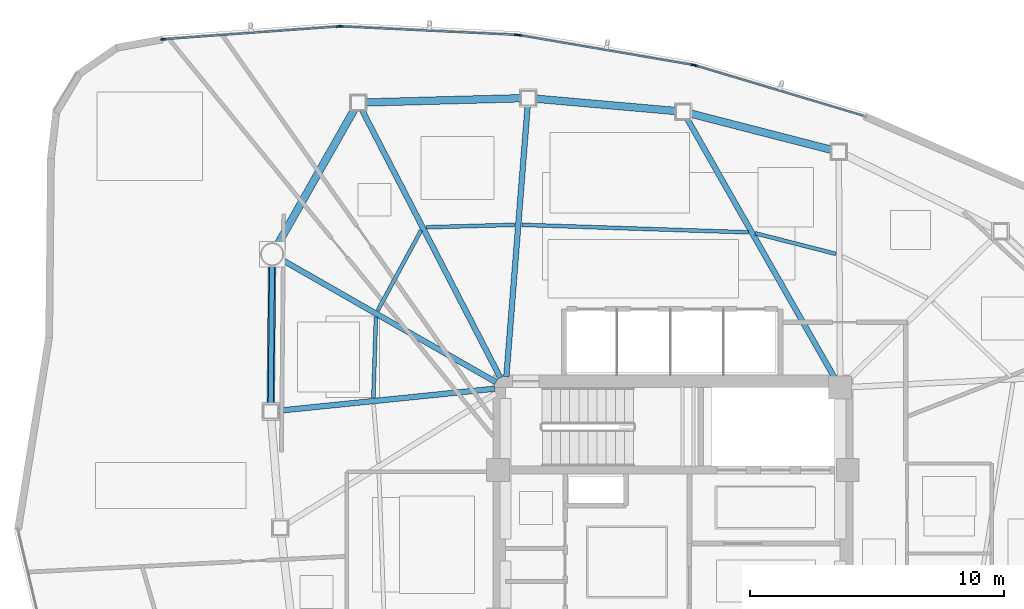
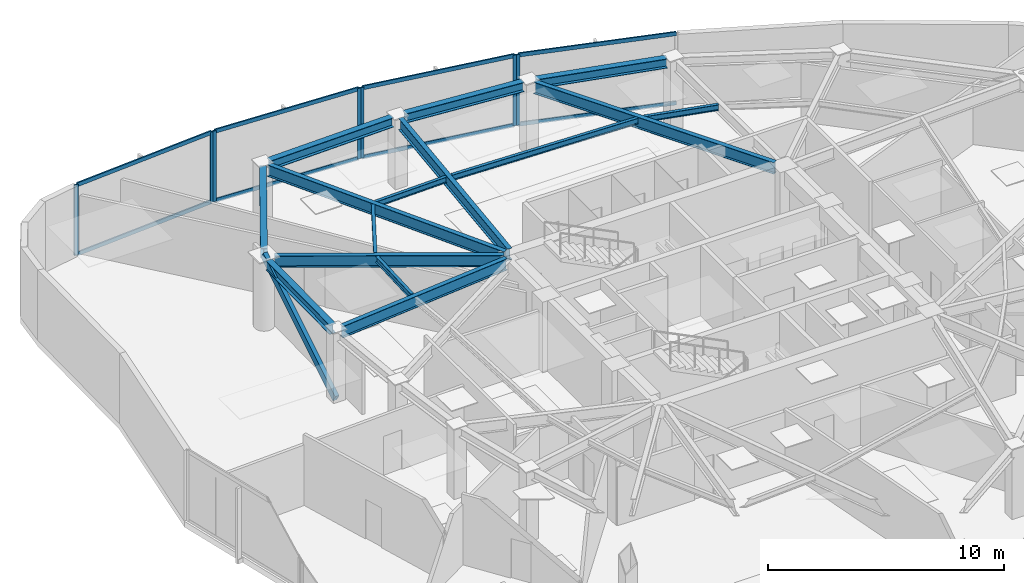
# One storey, part 5 of 13: 16 members, 15 beams, 4 elements without a shape of their own.
"""IFC4 building model written with IfcOpenShell, lengths in metres."""

import ifcopenshell
import ifcopenshell.guid

model = None  # the IFC model being written
_history = None  # IfcOwnerHistory: only IFC2X3 demands one
_inside = {}  # id of a spatial element -> (the spatial element, [elements in it])
_under = {}  # id of a project, library or spatial element -> (it, [spatial elements below it])
_declared = {}  # id of a project -> (the project, [libraries it declares])
_typed = {}  # id of a type object -> (the type object, [elements of that type])
_made_of = {}  # id of a material, layer set ... -> (it, [elements and type objects made of it])


def new_model(schema):
    """Start an empty IFC model of exactly this schema.

    Asked for "IFC4X3", IfcOpenShell would pick the latest addendum, in which some entities
    have other attributes; the version numbers below select the first issue.
    IFC2X3 requires an IfcOwnerHistory on every rooted entity: one is made here for all.
    """
    global model, _history
    if schema == "IFC4X3":
        model = ifcopenshell.file(schema_version=(4, 3, 0, 0))
    else:
        model = ifcopenshell.file(schema=schema)
    _inside.clear()
    _under.clear()
    _declared.clear()
    _typed.clear()
    _made_of.clear()
    _history = None
    if model.schema == "IFC2X3":
        org = make("IfcOrganization", Name="unknown")
        user = make(
            "IfcPersonAndOrganization",
            ThePerson=make("IfcPerson", FamilyName="unknown"),
            TheOrganization=org,
        )
        app = make(
            "IfcApplication",
            ApplicationDeveloper=org,
            Version="unknown",
            ApplicationFullName="unknown",
            ApplicationIdentifier="unknown",
        )
        _history = make(
            "IfcOwnerHistory",
            OwningUser=user,
            OwningApplication=app,
            ChangeAction="ADDED",
            CreationDate=0,
        )
    return model


def make(cls, **values):
    """One entity of the class cls with the attributes given. An attribute that is None is left unset."""
    return model.create_entity(
        cls, **{name: value for name, value in values.items() if value is not None}
    )


def rooted(cls, **values):
    """An entity with a GlobalId (a new one), such as an element, a storey or a relation."""
    return make(cls, GlobalId=ifcopenshell.guid.new(), OwnerHistory=_history, **values)


def si_unit(unit_type, name, prefix=None):
    """IfcSIUnit, for example si_unit("LENGTHUNIT", "METRE", prefix="MILLI")."""
    return make("IfcSIUnit", UnitType=unit_type, Prefix=prefix, Name=name)


def assignment(units):
    """IfcUnitAssignment: the units of a project."""
    return None if units is None else make("IfcUnitAssignment", Units=units)


def point(xyz):
    """IfcCartesianPoint."""
    return None if xyz is None else make("IfcCartesianPoint", Coordinates=xyz)


def direction(xyz):
    """IfcDirection."""
    return None if xyz is None else make("IfcDirection", DirectionRatios=xyz)


def frame(location, z_axis=None, x_axis=None):
    """IfcAxis2Placement3D, a coordinate frame: its origin and axes. An axis left out is left unset."""
    return make(
        "IfcAxis2Placement3D",
        Location=point(location),
        Axis=direction(z_axis),
        RefDirection=direction(x_axis),
    )


def frame_2d(location, x_axis=None):
    """IfcAxis2Placement2D, a coordinate frame in the plane: its origin and x axis."""
    return make(
        "IfcAxis2Placement2D", Location=point(location), RefDirection=direction(x_axis)
    )


def origin():
    """The frame at (0, 0, 0) with its axes left unset."""
    return frame((0.0, 0.0, 0.0))


def origin_2d():
    """The frame at (0, 0) in the plane with its x axis left unset."""
    return frame_2d((0.0, 0.0))


def place(relative_to, where):
    """IfcLocalPlacement: puts the frame where relative to a parent placement (None: the world)."""
    return make(
        "IfcLocalPlacement", PlacementRelTo=relative_to, RelativePlacement=where
    )


def context(
    kind, dimensions, precision=None, world=None, true_north=None, identifier=None
):
    """IfcGeometricRepresentationContext, for example the 3D "Model" context."""
    return make(
        "IfcGeometricRepresentationContext",
        ContextIdentifier=identifier,
        ContextType=kind,
        CoordinateSpaceDimension=dimensions,
        Precision=precision,
        WorldCoordinateSystem=world,
        TrueNorth=true_north,
    )


def subcontext(parent, identifier, kind, view, scale=None):
    """IfcGeometricRepresentationSubContext, for example "Body" below "Model"."""
    return make(
        "IfcGeometricRepresentationSubContext",
        ContextIdentifier=identifier,
        ContextType=kind,
        ParentContext=parent,
        TargetScale=scale,
        TargetView=view,
    )


def project(units=None, contexts=None):
    """IfcProject with its units and contexts."""
    return rooted(
        "IfcProject",
        Name="project",
        RepresentationContexts=contexts,
        UnitsInContext=assignment(units),
    )


def spatial(cls, under=None, at=None, **own):
    """A site, building, storey or space (cls), placed at a placement, below another one or the project."""
    s = rooted(cls, ObjectPlacement=at, **own)
    if under is not None:
        _under.setdefault(under.id(), (under, []))[1].append(s)
    return s


def profile(cls, at=None, kind="AREA", **sizes):
    """A parametric profile (cls). Its sizes go by their IFC names, for example OverallWidth=200.0."""
    return make(cls, ProfileType=kind, Position=at, **sizes)


def hollow_rectangle(**sizes):
    """IfcRectangleHollowProfileDef."""
    return profile("IfcRectangleHollowProfileDef", **sizes)


def i_section(**sizes):
    """IfcIShapeProfileDef."""
    return profile("IfcIShapeProfileDef", **sizes)


def extrude(swept, where, along, depth):
    """IfcExtrudedAreaSolid: the profile swept, set in the frame where, extruded along a direction by depth."""
    return make(
        "IfcExtrudedAreaSolid",
        SweptArea=swept,
        Position=where,
        ExtrudedDirection=direction(along),
        Depth=depth,
    )


def shape(context_of_items, identifier, shape_type, items):
    """IfcShapeRepresentation: the items that make up one representation, for example the "Body"."""
    return make(
        "IfcShapeRepresentation",
        ContextOfItems=context_of_items,
        RepresentationIdentifier=identifier,
        RepresentationType=shape_type,
        Items=items,
    )


def source(mapping_origin, context_of_items, identifier, shape_type, items):
    """IfcRepresentationMap: a shape defined once, which mapped items show again and again."""
    return make(
        "IfcRepresentationMap",
        MappingOrigin=mapping_origin,
        MappedRepresentation=shape(context_of_items, identifier, shape_type, items),
    )


def transform(
    local_origin,
    x_axis=None,
    y_axis=None,
    z_axis=None,
    scale=None,
    scale2=None,
    scale3=None,
    uniform=True,
):
    """IfcCartesianTransformationOperator3D, or its non-uniform kind. x_axis, y_axis, z_axis: its Axis1, 2, 3."""
    if uniform:
        return make(
            "IfcCartesianTransformationOperator3D",
            Axis1=direction(x_axis),
            Axis2=direction(y_axis),
            LocalOrigin=point(local_origin),
            Scale=scale,
            Axis3=direction(z_axis),
        )
    return make(
        "IfcCartesianTransformationOperator3DnonUniform",
        Axis1=direction(x_axis),
        Axis2=direction(y_axis),
        LocalOrigin=point(local_origin),
        Scale=scale,
        Axis3=direction(z_axis),
        Scale2=scale2,
        Scale3=scale3,
    )


def mapped(mapping_source, mapping_target):
    """IfcMappedItem: shows the shape of a source again, moved by a transform."""
    return make(
        "IfcMappedItem", MappingSource=mapping_source, MappingTarget=mapping_target
    )


def material(Name=None, Category=None):
    """IfcMaterial."""
    return make("IfcMaterial", Name=Name, Category=Category)


def layer(
    of_material, thickness, ventilated=None, Name=None, Category=None, Priority=None
):
    """IfcMaterialLayer: one layer of a wall or slab, of a material (None: an air gap)."""
    return make(
        "IfcMaterialLayer",
        Material=of_material,
        LayerThickness=thickness,
        IsVentilated=ventilated,
        Name=Name,
        Category=Category,
        Priority=Priority,
    )


def layer_set(layers, Name=None):
    """IfcMaterialLayerSet."""
    return make("IfcMaterialLayerSet", MaterialLayers=layers, LayerSetName=Name)


def material_profile(
    of_material, cross_section, Name=None, Category=None, Priority=None
):
    """IfcMaterialProfile: a cross section and its material."""
    return make(
        "IfcMaterialProfile",
        Name=Name,
        Material=of_material,
        Profile=cross_section,
        Priority=Priority,
        Category=Category,
    )


def profile_set(profiles, Name=None, composite=None):
    """IfcMaterialProfileSet."""
    return make(
        "IfcMaterialProfileSet",
        Name=Name,
        MaterialProfiles=profiles,
        CompositeProfile=composite,
    )


def made_of(thing, what):
    """Note that an element or type object is made of a material, layer set ...; save() writes the relation."""
    if what is not None:
        _made_of.setdefault(what.id(), (what, []))[1].append(thing)
    return thing


def type_object(cls, material=None, **own):
    """A type object (cls), such as IfcWallType, which elements share."""
    return made_of(rooted(cls, **own), material)


def type_shapes(of_type, sources):
    """Give a type object the sources (RepresentationMaps) that its elements show as mapped items."""
    of_type.RepresentationMaps = sources


def element(
    cls,
    number,
    at=None,
    inside=None,
    cuts=None,
    type_object=None,
    material=None,
    context=None,
    identifier="Body",
    shape_type=None,
    held_by="IfcProductDefinitionShape",
    body=None,
    shapes=None,
    **own,
):
    """One element of the class cls, such as IfcWall. Its Tag is "e" and its number.

    at: its placement. inside: the storey or other place that contains it. cuts: it is an
    opening in that element (IfcRelVoidsElement). A single representation is given by context,
    identifier, shape_type and body (its items); several are given by shapes. held_by: the class
    of the entity that holds the representations. save() writes the other relations.
    """
    e = rooted(cls, Tag="e%d" % number, ObjectPlacement=at, **own)
    if body is not None:
        shapes = [shape(context, identifier, shape_type, body)]
    if shapes is not None:
        e.Representation = make(held_by, Representations=shapes)
    if inside is not None:
        _inside.setdefault(inside.id(), (inside, []))[1].append(e)
    if cuts is not None:
        rooted(
            "IfcRelVoidsElement", RelatingBuildingElement=cuts, RelatedOpeningElement=e
        )
    if type_object is not None:
        _typed.setdefault(type_object.id(), (type_object, []))[1].append(e)
    return made_of(e, material)


def aggregate(whole, parts):
    """IfcRelAggregates: a whole, such as a stair, and the parts it consists of."""
    return rooted("IfcRelAggregates", RelatingObject=whole, RelatedObjects=parts)


def save(model, path):
    """Write the relations noted so far, then the file.

    IfcRelAggregates (storeys below a building ...), IfcRelContainedInSpatialStructure (elements
    in a storey), IfcRelDefinesByType, IfcRelAssociatesMaterial and IfcRelDeclares: one each for
    every whole, place, type object, material and project.
    """
    for whole, parts in _under.values():
        aggregate(whole, parts)
    for where, things in _inside.values():
        rooted(
            "IfcRelContainedInSpatialStructure",
            RelatedElements=things,
            RelatingStructure=where,
        )
    for kind, things in _typed.values():
        rooted("IfcRelDefinesByType", RelatedObjects=things, RelatingType=kind)
    for what, things in _made_of.values():
        rooted("IfcRelAssociatesMaterial", RelatedObjects=things, RelatingMaterial=what)
    for by, libraries in _declared.values():
        rooted("IfcRelDeclares", RelatingContext=by, RelatedDefinitions=libraries)
    model.write(path)


model = new_model("IFC4")

# Units and contexts
model_context = context("Model", 3, precision=1e-05, world=origin(), true_north=direction((0.0, 1.0)))
body_context = subcontext(model_context, "Body", "Model", "MODEL_VIEW")
ifc_project = project(units=[si_unit("LENGTHUNIT", "METRE"), si_unit("AREAUNIT", "SQUARE_METRE"), si_unit("VOLUMEUNIT", "CUBIC_METRE"), si_unit("PLANEANGLEUNIT", "RADIAN"), si_unit("MASSUNIT", "GRAM", prefix="KILO")], contexts=[model_context])

# Site, building, storey
site_placement = place(None, origin())
site = spatial("IfcSite", under=ifc_project, at=site_placement, CompositionType="ELEMENT")
building_placement = place(site_placement, origin())
building = spatial("IfcBuilding", under=site, at=building_placement, Name="Tavelor Broadcast Tower", CompositionType="ELEMENT")
storey_placement = place(building_placement, frame((0.0, 0.0, 237.949951171875)))
storey = spatial("IfcBuildingStorey", under=building, at=storey_placement, Name="L56", CompositionType="ELEMENT", Elevation=237.949951171875)

# Beams
ifc_material_1 = material(Name="Steel S355", Category="steel")
ifc_material_profile_1 = material_profile(ifc_material_1, i_section(OverallWidth=0.14990234375, OverallDepth=0.300048828125, WebThickness=0.007080078125, FlangeThickness=0.0107421875, at=origin_2d()), Name="IPE 300")
ifc_profile_set_1 = profile_set([ifc_material_profile_1], Name="Steel S355")
beam_type_1 = type_object("IfcBeamType", Name="Composite Floor Joist T5 IPE 300", PredefinedType="JOIST", material=ifc_profile_set_1)
beam_1_placement = place(storey_placement, frame((38.289794921875, 53.978515625, 3.5), z_axis=(-0.031859396157, -0.999492360589, 0.0), x_axis=(0.999492360589, -0.031859396157, 0.0)))
element("IfcBeam", 1, at=beam_1_placement, inside=storey, type_object=beam_type_1, Name="L56 Secondary Composite Floor Joist 01", PredefinedType="JOIST", context=body_context, shape_type="SweptSolid", body=[
    extrude(i_section(OverallWidth=0.14990234375, OverallDepth=0.300048828125, WebThickness=0.007080078125, FlangeThickness=0.0107421875, at=origin_2d()), origin(), (0.0, 0.0, 1.0), 3.172607421875),
])
beam_2_placement = place(storey_placement, frame((56.434326171875, 56.4736328125, 3.5), z_axis=(-0.968901023903, 0.247448592399, 0.0), x_axis=(-0.247448592399, -0.968901023903, 0.0)))
element("IfcBeam", 2, at=beam_2_placement, inside=storey, type_object=beam_type_1, Name="L56 Secondary Composite Floor Joist 15", PredefinedType="JOIST", context=body_context, shape_type="SweptSolid", body=[
    extrude(i_section(OverallWidth=0.14990234375, OverallDepth=0.300048828125, WebThickness=0.007080078125, FlangeThickness=0.0107421875, at=origin_2d()), origin(), (0.0, 0.0, 1.0), 3.283447265625),
])
beam_3_placement = place(storey_placement, frame((52.978515625, 57.3251953125, 3.5), z_axis=(-0.999455526468, 0.032994705837, 0.0), x_axis=(-0.032994705837, -0.999455526468, 0.0)))
element("IfcBeam", 3, at=beam_3_placement, inside=storey, type_object=beam_type_1, Name="L56 Secondary Composite Floor Joist 16", PredefinedType="JOIST", context=body_context, shape_type="SweptSolid", body=[
    extrude(i_section(OverallWidth=0.14990234375, OverallDepth=0.300048828125, WebThickness=0.007080078125, FlangeThickness=0.0107421875, at=origin_2d()), origin(), (0.0, 0.0, 1.0), 8.9384765625),
])
beam_4_placement = place(storey_placement, frame((43.76611328125, 57.620849609375, 3.5), z_axis=(-0.999611398275, -0.027875660324, 0.0), x_axis=(0.027875660324, -0.999611398275, 0.0)))
element("IfcBeam", 4, at=beam_4_placement, inside=storey, type_object=beam_type_1, Name="L56 Secondary Composite Floor Joist 17", PredefinedType="JOIST", context=body_context, shape_type="SweptSolid", body=[
    extrude(i_section(OverallWidth=0.14990234375, OverallDepth=0.300048828125, WebThickness=0.007080078125, FlangeThickness=0.0107421875, at=origin_2d()), origin(), (0.0, 0.0, 1.0), 3.49462890625),
])
beam_5_placement = place(storey_placement, frame((40.0673828125, 57.39697265625, 3.5), z_axis=(-0.475640833171, -0.879639584046, 0.0), x_axis=(0.879639584046, -0.475640833171, 0.0)))
element("IfcBeam", 5, at=beam_5_placement, inside=storey, type_object=beam_type_1, Name="L56 Secondary Composite Floor Joist 18", PredefinedType="JOIST", context=body_context, shape_type="SweptSolid", body=[
    extrude(i_section(OverallWidth=0.14990234375, OverallDepth=0.300048828125, WebThickness=0.007080078125, FlangeThickness=0.0107421875, at=origin_2d()), origin(), (0.0, 0.0, 1.0), 3.58837890625),
])
ifc_material_profile_2 = material_profile(ifc_material_1, i_section(OverallWidth=0.300048828125, OverallDepth=0.489990234375, WebThickness=0.011962890625, FlangeThickness=0.02294921875, at=origin_2d()), Name="HEA 500")
ifc_profile_set_2 = profile_set([ifc_material_profile_2], Name="Steel S355")
beam_type_2 = type_object("IfcBeamType", Name="Perimeter Spandrel Beam T5 HEA 500", PredefinedType="SPANDREL", material=ifc_profile_set_2)
beam_6_placement = place(storey_placement, frame((34.192138671875, 56.021240234375, 3.405029296875), z_axis=(-0.009538233347, -0.999954510018, 0.0), x_axis=(0.999954510018, -0.009538233347, 0.0)))
element("IfcBeam", 6, at=beam_6_placement, inside=storey, type_object=beam_type_2, Name="L56 Framed-Tube Ring Spandrel 01", PredefinedType="SPANDREL", context=body_context, shape_type="SweptSolid", body=[
    extrude(i_section(OverallWidth=0.300048828125, OverallDepth=0.489990234375, WebThickness=0.011962890625, FlangeThickness=0.02294921875, at=origin_2d()), origin(), (0.0, 0.0, 1.0), 5.4775390625),
])
beam_7_placement = place(storey_placement, frame((56.2666015625, 60.575927734375, 3.405029296875), z_axis=(-0.968398561847, 0.249407749304, 0.0), x_axis=(-0.249407749304, -0.968398561847, 0.0)))
element("IfcBeam", 7, at=beam_7_placement, inside=storey, type_object=beam_type_2, Name="L56 Framed-Tube Ring Spandrel 15", PredefinedType="SPANDREL", context=body_context, shape_type="SweptSolid", body=[
    extrude(i_section(OverallWidth=0.300048828125, OverallDepth=0.489990234375, WebThickness=0.011962890625, FlangeThickness=0.02294921875, at=origin_2d()), origin(), (0.0, 0.0, 1.0), 5.7626953125),
])
beam_8_placement = place(storey_placement, frame((50.120361328125, 62.110107421875, 3.405029296875), z_axis=(-0.996165524703, 0.087488555787, 0.0), x_axis=(-0.087488555787, -0.996165524703, 0.0)))
element("IfcBeam", 8, at=beam_8_placement, inside=storey, type_object=beam_type_2, Name="L56 Framed-Tube Ring Spandrel 16", PredefinedType="SPANDREL", context=body_context, shape_type="SweptSolid", body=[
    extrude(i_section(OverallWidth=0.300048828125, OverallDepth=0.489990234375, WebThickness=0.011962890625, FlangeThickness=0.02294921875, at=origin_2d()), origin(), (0.0, 0.0, 1.0), 5.555908203125),
])
beam_9_placement = place(storey_placement, frame((44.010986328125, 62.613525390625, 3.405029296875), z_axis=(-0.999631563069, -0.027142920174, 0.0), x_axis=(0.027142920174, -0.999631563069, 0.0)))
element("IfcBeam", 9, at=beam_9_placement, inside=storey, type_object=beam_type_2, Name="L56 Framed-Tube Ring Spandrel 17", PredefinedType="SPANDREL", context=body_context, shape_type="SweptSolid", body=[
    extrude(i_section(OverallWidth=0.300048828125, OverallDepth=0.489990234375, WebThickness=0.011962890625, FlangeThickness=0.02294921875, at=origin_2d()), origin(), (0.0, 0.0, 1.0), 6.13427734375),
])
beam_10_placement = place(storey_placement, frame((37.44873046875, 62.188720703125, 3.405029296875), z_axis=(-0.49368262273, -0.869642149401, 0.0), x_axis=(0.869642149401, -0.49368262273, 0.0)))
element("IfcBeam", 10, at=beam_10_placement, inside=storey, type_object=beam_type_2, Name="L56 Framed-Tube Ring Spandrel 18", PredefinedType="SPANDREL", context=body_context, shape_type="SweptSolid", body=[
    extrude(i_section(OverallWidth=0.300048828125, OverallDepth=0.489990234375, WebThickness=0.011962890625, FlangeThickness=0.02294921875, at=origin_2d()), origin(), (0.0, 0.0, 1.0), 6.14892578125),
])

# Member
ifc_material_profile_3 = material_profile(ifc_material_1, hollow_rectangle(XDim=0.199951171875, YDim=0.39990234375, WallThickness=0.01611328125, at=origin_2d()), Name="RHS 400x200x16")
ifc_profile_set_3 = profile_set([ifc_material_profile_3], Name="Steel S355")
member_type_1 = type_object("IfcMemberType", Name="Perimeter Tube Brace T5 RHS 400x200x16", PredefinedType="BRACE", material=ifc_profile_set_3)
member_1_placement = place(storey_placement, frame((34.13720703125, 50.255859375, 0.0), z_axis=(0.008207584485, 0.861864202231, 0.507072709254), x_axis=(-0.999954658748, 0.009522628184, 0.0)))
element("IfcMember", 11, at=member_1_placement, inside=storey, type_object=member_type_1, Name="L56 Corner Tube Diagonal Brace 1", PredefinedType="BRACE", context=body_context, shape_type="SweptSolid", body=[
    extrude(hollow_rectangle(XDim=0.199951171875, YDim=0.39990234375, WallThickness=0.01611328125, at=origin_2d()), origin(), (0.0, 0.0, 1.0), 7.198486328125),
])

# Beams
ifc_material_profile_4 = material_profile(ifc_material_1, i_section(OverallWidth=0.219970703125, OverallDepth=0.60009765625, WebThickness=0.011962890625, FlangeThickness=0.01904296875, at=origin_2d()), Name="IPE 600")
ifc_profile_set_4 = profile_set([ifc_material_profile_4], Name="Steel S355")
beam_type_3 = type_object("IfcBeamType", Name="Radial Floor Girder T5 IPE 600", PredefinedType="BEAM", material=ifc_profile_set_4)
beam_11_placement = place(storey_placement, frame((43.02490234375, 51.414306640625, 3.35009765625), z_axis=(-0.868210713595, 0.496195683979, 0.0), x_axis=(-0.496195683979, -0.868210713595, 0.0)))
element("IfcBeam", 12, at=beam_11_placement, inside=storey, type_object=beam_type_3, Name="L56 Radial Primary Floor Girder 01", PredefinedType="BEAM", context=body_context, shape_type="SweptSolid", body=[
    extrude(i_section(OverallWidth=0.219970703125, OverallDepth=0.60009765625, WebThickness=0.011962890625, FlangeThickness=0.01904296875, at=origin_2d()), origin(), (0.0, 0.0, 1.0), 9.729736328125),
])
beam_12_placement = place(storey_placement, frame((42.97021484375, 51.15625, 3.35009765625), z_axis=(-0.994846025553, -0.101397166829, 0.0), x_axis=(0.101397166829, -0.994846025553, 0.0)))
element("IfcBeam", 13, at=beam_12_placement, inside=storey, type_object=beam_type_3, Name="L56 Radial Primary Floor Girder 02", PredefinedType="BEAM", context=body_context, shape_type="SweptSolid", body=[
    extrude(i_section(OverallWidth=0.219970703125, OverallDepth=0.60009765625, WebThickness=0.011962890625, FlangeThickness=0.01904296875, at=origin_2d()), origin(), (0.0, 0.0, 1.0), 8.5908203125),
])
beam_13_placement = place(storey_placement, frame((56.386474609375, 51.575439453125, 3.35009765625), z_axis=(-0.49450754608, 0.869173335342, 0.0), x_axis=(-0.869173335342, -0.49450754608, 0.0)))
element("IfcBeam", 14, at=beam_13_placement, inside=storey, type_object=beam_type_3, Name="L56 Radial Primary Floor Girder 16", PredefinedType="BEAM", context=body_context, shape_type="SweptSolid", body=[
    extrude(i_section(OverallWidth=0.219970703125, OverallDepth=0.60009765625, WebThickness=0.011962890625, FlangeThickness=0.01904296875, at=origin_2d()), origin(), (0.0, 0.0, 1.0), 11.803466796875),
])
beam_14_placement = place(storey_placement, frame((43.433837890625, 51.630615234375, 3.35009765625), z_axis=(0.078449146994, 0.996918116666, 0.0), x_axis=(-0.996918116666, 0.078449146994, 0.0)))
element("IfcBeam", 15, at=beam_14_placement, inside=storey, type_object=beam_type_3, Name="L56 Radial Primary Floor Girder 17", PredefinedType="BEAM", context=body_context, shape_type="SweptSolid", body=[
    extrude(i_section(OverallWidth=0.219970703125, OverallDepth=0.60009765625, WebThickness=0.011962890625, FlangeThickness=0.01904296875, at=origin_2d()), origin(), (0.0, 0.0, 1.0), 10.73681640625),
])
beam_15_placement = place(storey_placement, frame((43.20166015625, 51.583740234375, 3.35009765625), z_axis=(-0.459155708723, 0.888355804364, 0.0), x_axis=(-0.888355804364, -0.459155708723, 0.0)))
element("IfcBeam", 16, at=beam_15_placement, inside=storey, type_object=beam_type_3, Name="L56 Radial Primary Floor Girder 18", PredefinedType="BEAM", context=body_context, shape_type="SweptSolid", body=[
    extrude(i_section(OverallWidth=0.219970703125, OverallDepth=0.60009765625, WebThickness=0.011962890625, FlangeThickness=0.01904296875, at=origin_2d()), origin(), (0.0, 0.0, 1.0), 11.931640625),
])

# Curtain wall, member
ifc_material_2 = material(Name="Architectural Anodized Aluminium", Category="aluminium")
ifc_layer = layer(ifc_material_2, 0.199951171875)
ifc_layer_set = layer_set([ifc_layer], Name="Architectural Anodized Aluminium")
curtain_wall_type = type_object("IfcCurtainWallType", Name="Tower High-Zone Triple-Glazed Curtain Wall CW04", PredefinedType="NOTDEFINED", material=ifc_layer_set)
curtain_wall_1_placement = place(storey_placement, origin())
curtain_wall_1 = element("IfcCurtainWall", 17, at=curtain_wall_1_placement, inside=storey, type_object=curtain_wall_type, Name="L56 Curtain Wall CW04 Run 609", PredefinedType="NOTDEFINED")
ifc_material_profile_5 = material_profile(ifc_material_2, hollow_rectangle(XDim=0.070068359375, YDim=0.199951171875, WallThickness=0.02197265625, at=origin_2d()), Name="RHS 70x200x22")
ifc_profile_set_5 = profile_set([ifc_material_profile_5], Name="Architectural Anodized Aluminium")
member_type_2 = type_object("IfcMemberType", Name="CW04 Extruded Aluminium Mullion 70x200", PredefinedType="MULLION", material=ifc_profile_set_5)
shared_shape_1 = source(origin(), body_context, "Body", "SweptSolid", [
    extrude(hollow_rectangle(XDim=0.070068359375, YDim=0.199951171875, WallThickness=0.02197265625, at=origin_2d()), origin(), (0.0, 0.0, 1.0), 3.650146484375),
])
type_shapes(member_type_2, [shared_shape_1])
member_2_placement = place(storey_placement, frame((50.885498046875, 63.9052734375, 0.0), z_axis=(0.0, 0.0, 1.0), x_axis=(-0.286946594752, -0.957946580849, 0.0)))
member_2 = element("IfcMember", 18, at=member_2_placement, type_object=member_type_2, Name="CW04 mullion 2", PredefinedType="MULLION", context=body_context, shape_type="MappedRepresentation", body=[
    mapped(shared_shape_1, transform((0.0, 0.0, 0.0), scale=1.0)),
])

# Curtain wall, members
curtain_wall_2_placement = place(storey_placement, origin())
curtain_wall_2 = element("IfcCurtainWall", 19, at=curtain_wall_2_placement, inside=storey, type_object=curtain_wall_type, Name="L56 Curtain Wall CW04 Run 610", PredefinedType="NOTDEFINED")
member_3_placement = place(storey_placement, frame((50.788330078125, 63.92822265625, 0.0), z_axis=(0.0, 0.0, 1.0), x_axis=(-0.16890041044, -0.985633122086, 0.0)))
member_3 = element("IfcMember", 20, at=member_3_placement, type_object=member_type_2, Name="CW04 mullion 1", PredefinedType="MULLION", context=body_context, shape_type="MappedRepresentation", body=[
    mapped(shared_shape_1, transform((0.0, 0.0, 0.0), scale=1.0)),
])
member_4_placement = place(storey_placement, frame((43.953857421875, 65.099365234375, 0.0), z_axis=(0.0, 0.0, 1.0), x_axis=(-0.16890041044, -0.985633122086, 0.0)))
member_4 = element("IfcMember", 21, at=member_4_placement, type_object=member_type_2, Name="CW04 mullion 2", PredefinedType="MULLION", context=body_context, shape_type="MappedRepresentation", body=[
    mapped(shared_shape_1, transform((0.0, 0.0, 0.0), scale=1.0)),
])

curtain_wall_3_placement = place(storey_placement, origin())
curtain_wall_3 = element("IfcCurtainWall", 22, at=curtain_wall_3_placement, inside=storey, type_object=curtain_wall_type, Name="L56 Curtain Wall CW04 Run 611", PredefinedType="NOTDEFINED")
member_5_placement = place(storey_placement, frame((43.8544921875, 65.110107421875, 0.0), z_axis=(0.0, 0.0, 1.0), x_axis=(-0.048400853256, -0.998827991901, 0.0)))
member_5 = element("IfcMember", 23, at=member_5_placement, type_object=member_type_2, Name="CW04 mullion 1", PredefinedType="MULLION", context=body_context, shape_type="MappedRepresentation", body=[
    mapped(shared_shape_1, transform((0.0, 0.0, 0.0), scale=1.0)),
])
member_6_placement = place(storey_placement, frame((36.9287109375, 65.44580078125, 0.0), z_axis=(0.0, 0.0, 1.0), x_axis=(-0.048400853256, -0.998827991901, 0.0)))
member_6 = element("IfcMember", 24, at=member_6_placement, type_object=member_type_2, Name="CW04 mullion 2", PredefinedType="MULLION", context=body_context, shape_type="MappedRepresentation", body=[
    mapped(shared_shape_1, transform((0.0, 0.0, 0.0), scale=1.0)),
])

curtain_wall_4_placement = place(storey_placement, origin())
curtain_wall_4 = element("IfcCurtainWall", 25, at=curtain_wall_4_placement, inside=storey, type_object=curtain_wall_type, Name="L56 Curtain Wall CW04 Run 612", PredefinedType="NOTDEFINED")
member_7_placement = place(storey_placement, frame((36.828857421875, 65.444580078125, 0.0), z_axis=(0.0, 0.0, 1.0), x_axis=(0.072833257795, -0.997344131461, 0.0)))
member_7 = element("IfcMember", 26, at=member_7_placement, type_object=member_type_2, Name="CW04 mullion 1", PredefinedType="MULLION", context=body_context, shape_type="MappedRepresentation", body=[
    mapped(shared_shape_1, transform((0.0, 0.0, 0.0), scale=1.0)),
])
member_8_placement = place(storey_placement, frame((29.897216796875, 64.9384765625, 0.0), z_axis=(0.0, 0.0, 1.0), x_axis=(0.072833257795, -0.997344131461, 0.0)))
member_8 = element("IfcMember", 27, at=member_8_placement, type_object=member_type_2, Name="CW04 mullion 2", PredefinedType="MULLION", context=body_context, shape_type="MappedRepresentation", body=[
    mapped(shared_shape_1, transform((0.0, 0.0, 0.0), scale=1.0)),
])

# Member
ifc_material_profile_6 = material_profile(ifc_material_2, hollow_rectangle(XDim=0.070068359375, YDim=0.199951171875, WallThickness=0.02197265625, at=origin_2d()), Name="RHS 70x200x22")
ifc_profile_set_6 = profile_set([ifc_material_profile_6], Name="Architectural Anodized Aluminium")
member_type_3 = type_object("IfcMemberType", Name="CW04 Extruded Aluminium Transom 70x200", PredefinedType="USERDEFINED", material=ifc_profile_set_6)
shared_shape_2 = source(origin(), body_context, "Body", "SweptSolid", [
    extrude(hollow_rectangle(XDim=0.070068359375, YDim=0.199951171875, WallThickness=0.02197265625, at=origin_2d()), origin(), (0.0, 0.0, 1.0), 6.879150390625),
])
member_9_placement = place(storey_placement, frame((57.5087890625, 61.92138671875, 0.03515625), z_axis=(-0.957949273185, 0.286937606465, 0.0), x_axis=(-0.286937606465, -0.957949273185, 0.0)))
member_9 = element("IfcMember", 28, at=member_9_placement, type_object=member_type_3, Name="CW04 transom 1.1", ObjectType="TRANSOM", PredefinedType="USERDEFINED", context=body_context, shape_type="MappedRepresentation", body=[
    mapped(shared_shape_2, transform((0.0, 0.0, 0.0), scale=1.0)),
])

member_10_placement = place(storey_placement, frame((57.5087890625, 61.92138671875, 3.614990234375), z_axis=(-0.957949273185, 0.286937606465, 0.0), x_axis=(-0.286937606465, -0.957949273185, 0.0)))
member_10 = element("IfcMember", 29, at=member_10_placement, type_object=member_type_3, Name="CW04 transom 1.2", ObjectType="TRANSOM", PredefinedType="USERDEFINED", context=body_context, shape_type="MappedRepresentation", body=[
    mapped(shared_shape_2, transform((0.0, 0.0, 0.0), scale=1.0)),
])

aggregate(curtain_wall_1, [member_2, member_9, member_10])

shared_shape_3 = source(origin(), body_context, "Body", "SweptSolid", [
    extrude(hollow_rectangle(XDim=0.070068359375, YDim=0.199951171875, WallThickness=0.02197265625, at=origin_2d()), origin(), (0.0, 0.0, 1.0), 6.8642578125),
])
member_11_placement = place(storey_placement, frame((50.75390625, 63.93408203125, 0.03515625), z_axis=(-0.985637820086, 0.168872992558, 0.0), x_axis=(-0.168872992558, -0.985637820086, 0.0)))
member_11 = element("IfcMember", 30, at=member_11_placement, type_object=member_type_3, Name="CW04 transom 1.1", ObjectType="TRANSOM", PredefinedType="USERDEFINED", context=body_context, shape_type="MappedRepresentation", body=[
    mapped(shared_shape_3, transform((0.0, 0.0, 0.0), scale=1.0)),
])

member_12_placement = place(storey_placement, frame((50.75390625, 63.93408203125, 3.614990234375), z_axis=(-0.985637820086, 0.168872992558, 0.0), x_axis=(-0.168872992558, -0.985637820086, 0.0)))
member_12 = element("IfcMember", 31, at=member_12_placement, type_object=member_type_3, Name="CW04 transom 1.2", ObjectType="TRANSOM", PredefinedType="USERDEFINED", context=body_context, shape_type="MappedRepresentation", body=[
    mapped(shared_shape_3, transform((0.0, 0.0, 0.0), scale=1.0)),
])

aggregate(curtain_wall_2, [member_3, member_4, member_11, member_12])

shared_shape_4 = source(origin(), body_context, "Body", "SweptSolid", [
    extrude(hollow_rectangle(XDim=0.070068359375, YDim=0.199951171875, WallThickness=0.02197265625, at=origin_2d()), origin(), (0.0, 0.0, 1.0), 6.864013671875),
])
member_13_placement = place(storey_placement, frame((43.819580078125, 65.11181640625, 0.03515625), z_axis=(-0.998827626673, 0.048408389712, 0.0), x_axis=(-0.048408389712, -0.998827626673, 0.0)))
member_13 = element("IfcMember", 32, at=member_13_placement, type_object=member_type_3, Name="CW04 transom 1.1", ObjectType="TRANSOM", PredefinedType="USERDEFINED", context=body_context, shape_type="MappedRepresentation", body=[
    mapped(shared_shape_4, transform((0.0, 0.0, 0.0), scale=1.0)),
])

member_14_placement = place(storey_placement, frame((43.819580078125, 65.11181640625, 3.614990234375), z_axis=(-0.998827626673, 0.048408389712, 0.0), x_axis=(-0.048408389712, -0.998827626673, 0.0)))
member_14 = element("IfcMember", 33, at=member_14_placement, type_object=member_type_3, Name="CW04 transom 1.2", ObjectType="TRANSOM", PredefinedType="USERDEFINED", context=body_context, shape_type="MappedRepresentation", body=[
    mapped(shared_shape_4, transform((0.0, 0.0, 0.0), scale=1.0)),
])

aggregate(curtain_wall_3, [member_5, member_6, member_13, member_14])

shared_shape_5 = source(origin(), body_context, "Body", "SweptSolid", [
    extrude(hollow_rectangle(XDim=0.070068359375, YDim=0.199951171875, WallThickness=0.02197265625, at=origin_2d()), origin(), (0.0, 0.0, 1.0), 6.880126953125),
])
type_shapes(member_type_3, [shared_shape_2, shared_shape_3, shared_shape_4, shared_shape_5])
member_15_placement = place(storey_placement, frame((36.7939453125, 65.442138671875, 0.03515625), z_axis=(-0.997342849506, -0.072850810149, 0.0), x_axis=(0.072850810149, -0.997342849506, 0.0)))
member_15 = element("IfcMember", 34, at=member_15_placement, type_object=member_type_3, Name="CW04 transom 1.1", ObjectType="TRANSOM", PredefinedType="USERDEFINED", context=body_context, shape_type="MappedRepresentation", body=[
    mapped(shared_shape_5, transform((0.0, 0.0, 0.0), scale=1.0)),
])

member_16_placement = place(storey_placement, frame((36.7939453125, 65.442138671875, 3.614990234375), z_axis=(-0.997342849506, -0.072850810149, 0.0), x_axis=(0.072850810149, -0.997342849506, 0.0)))
member_16 = element("IfcMember", 35, at=member_16_placement, type_object=member_type_3, Name="CW04 transom 1.2", ObjectType="TRANSOM", PredefinedType="USERDEFINED", context=body_context, shape_type="MappedRepresentation", body=[
    mapped(shared_shape_5, transform((0.0, 0.0, 0.0), scale=1.0)),
])

aggregate(curtain_wall_4, [member_7, member_8, member_15, member_16])

save(model, "model.ifc")
